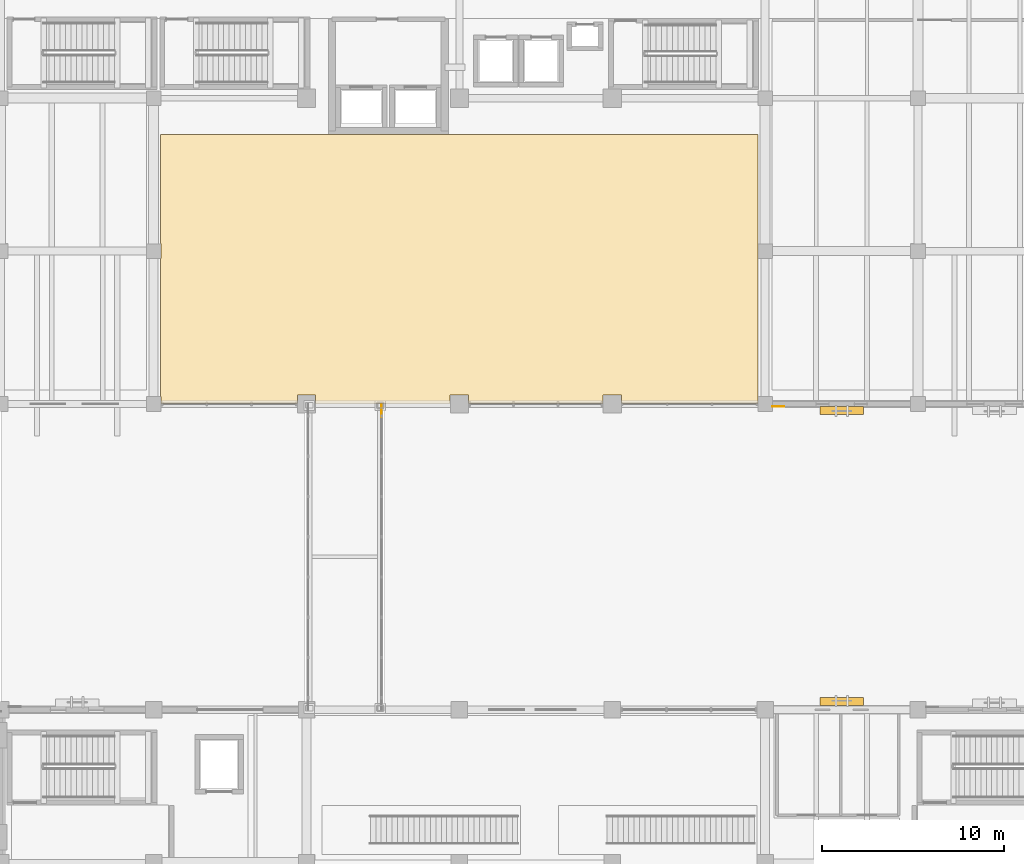
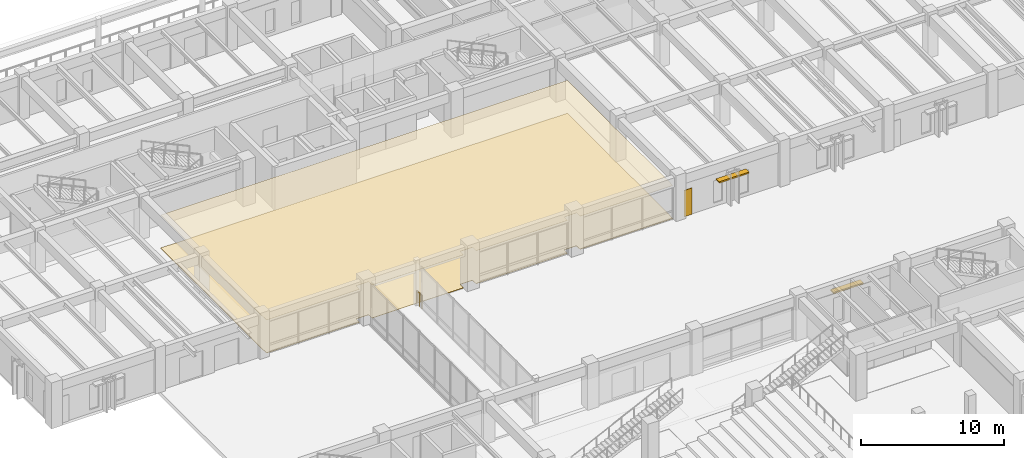
# One storey, part 115 of 135: 3 coverings, 2 shading devices, 1 railing.
"""IFC4 building model written with IfcOpenShell, lengths in metres."""

from ifc_helpers import new_model, si_unit, direction, frame, origin, origin_2d, place, context, subcontext, project, spatial, polyline, rectangle, circle, outline, extrude, material, layer, layer_set, type_object, element, save


model = new_model("IFC4")

# Units and contexts
model_context = context("Model", 3, precision=1e-05, world=origin(), true_north=direction((0.0, 1.0)))
body_context = subcontext(model_context, "Body", "Model", "MODEL_VIEW")
ifc_project = project(units=[si_unit("LENGTHUNIT", "METRE"), si_unit("AREAUNIT", "SQUARE_METRE"), si_unit("VOLUMEUNIT", "CUBIC_METRE"), si_unit("PLANEANGLEUNIT", "RADIAN"), si_unit("MASSUNIT", "GRAM", prefix="KILO")], contexts=[model_context])

# Site, building, storey
site_placement = place(None, origin())
site = spatial("IfcSite", under=ifc_project, at=site_placement, CompositionType="ELEMENT")
building_placement = place(site_placement, origin())
building = spatial("IfcBuilding", under=site, at=building_placement, Name="Cumbredor Promenade Congress Hotel", CompositionType="ELEMENT")
storey_placement = place(building_placement, origin())
storey = spatial("IfcBuildingStorey", under=building, at=storey_placement, Name="L00", CompositionType="ELEMENT", Elevation=0.0)

# Covering
ifc_material_1 = material(Name="Acoustic mineral-fiber and gypsum ceiling")
ifc_layer_1 = layer(ifc_material_1, 0.01806640625, Name="Acoustic mineral-fiber and gypsum ceiling")
ifc_layer_set_1 = layer_set([ifc_layer_1], Name="Acoustic mineral-fiber and gypsum ceiling")
covering_type_1 = type_object("IfcCoveringType", Name="Acoustic Perforated Gypsum Ceiling CLG-01 18mm", PredefinedType="CEILING", material=ifc_layer_set_1)
covering_1_placement = place(storey_placement, frame((0.0, 0.0, 2.822998046875)))
element("IfcCovering", 1, at=covering_1_placement, inside=storey, type_object=covering_type_1, Name="Hotel Grand Reception Hall and Garden Foyer Acoustic Ceiling", PredefinedType="CEILING", context=body_context, shape_type="SweptSolid", body=[
    extrude(outline(polyline([(33.094970703125, 84.030029296875), (25.705078125, 84.030029296875), (25.705078125, 84.5048828125), (24.695068359375, 84.5048828125), (24.695068359375, 84.030029296875), (17.205078125, 84.030029296875), (17.205078125, 84.405029296875), (17.179931640625, 84.405029296875), (17.179931640625, 91.9951171875), (17.205078125, 91.9951171875), (17.205078125, 92.804931640625), (17.179931640625, 92.804931640625), (17.179931640625, 98.820068359375), (50.02001953125, 98.820068359375), (50.02001953125, 92.804931640625), (49.9951171875, 92.804931640625), (49.9951171875, 91.9951171875), (50.02001953125, 91.9951171875), (50.02001953125, 84.405029296875), (49.9951171875, 84.405029296875), (49.9951171875, 84.030029296875), (42.5048828125, 84.030029296875), (42.5048828125, 84.5048828125), (41.4951171875, 84.5048828125), (41.4951171875, 84.030029296875), (34.10498046875, 84.030029296875), (34.10498046875, 84.5048828125), (33.094970703125, 84.5048828125), (33.094970703125, 84.030029296875)])), origin(), (0.0, 0.0, 1.0), 0.01806640625),
])

# Shading devices
ifc_material_2 = material(Name="Thermally broken anodized aluminium", Category="aluminium")
shading_device_type = type_object("IfcShadingDeviceType", Name="Horizontal Bronze Jalousie Louvre JAL-01", PredefinedType="JALOUSIE", material=ifc_material_2)
for number, where, z_axis, x_axis, name in (
    (2, (54.60009765625, 67.64990234375, 2.4599609375), (0.0, 0.0, 1.0), (1.0, 0.0, 0.0), "L00 Horizontal Bronze Jalousie 005"),
    (3, (54.60009765625, 83.64501953125, 2.2099609375), (0.0, 0.0, 1.0), (1.0, 0.0, 0.0), "L00 Horizontal Bronze Jalousie 023"),
):
    element("IfcShadingDevice", number, at=place(storey_placement, frame(where, z_axis=z_axis, x_axis=x_axis)), inside=storey, type_object=shading_device_type, Name=name, PredefinedType="JALOUSIE", context=body_context, shape_type="SweptSolid", body=[
        extrude(rectangle(XDim=2.39990234375, YDim=0.449951171875, at=origin_2d()), origin(), (0.0, 0.0, 1.0), 0.1201171875),
    ])

# Covering
ifc_material_3 = material(Name="Porcelain stoneware tile", Category="masonry")
ifc_layer_2 = layer(ifc_material_3, 0.030029296875, Name="Porcelain stoneware tile", Category="masonry")
ifc_layer_set_2 = layer_set([ifc_layer_2], Name="Porcelain stoneware tile")
covering_type_2 = type_object("IfcCoveringType", Name="Porcelain Stoneware Flooring FLR-03 30mm", PredefinedType="FLOORING", material=ifc_layer_set_2)
covering_2_placement = place(storey_placement, origin())
element("IfcCovering", 4, at=covering_2_placement, inside=storey, type_object=covering_type_2, Name="Hotel Grand Reception Hall and Garden Foyer Porcelain Flooring", PredefinedType="FLOORING", context=body_context, shape_type="SweptSolid", body=[
    extrude(outline(polyline([(33.094970703125, 84.030029296875), (25.705078125, 84.030029296875), (25.705078125, 84.5048828125), (24.695068359375, 84.5048828125), (24.695068359375, 84.030029296875), (17.205078125, 84.030029296875), (17.205078125, 84.405029296875), (17.179931640625, 84.405029296875), (17.179931640625, 91.9951171875), (17.205078125, 91.9951171875), (17.205078125, 92.804931640625), (17.179931640625, 92.804931640625), (17.179931640625, 98.820068359375), (50.02001953125, 98.820068359375), (50.02001953125, 92.804931640625), (49.9951171875, 92.804931640625), (49.9951171875, 91.9951171875), (50.02001953125, 91.9951171875), (50.02001953125, 84.405029296875), (49.9951171875, 84.405029296875), (49.9951171875, 84.030029296875), (42.5048828125, 84.030029296875), (42.5048828125, 84.5048828125), (41.4951171875, 84.5048828125), (41.4951171875, 84.030029296875), (34.10498046875, 84.030029296875), (34.10498046875, 84.5048828125), (33.094970703125, 84.5048828125), (33.094970703125, 84.030029296875)])), origin(), (0.0, 0.0, 1.0), 0.030029296875),
])

# Railing
ifc_material_4 = material(Name="Brushed stainless steel", Category="steel")
railing_type = type_object("IfcRailingType", Name="Sky Garden Glass-and-Steel Balustrade BAL-1150", PredefinedType="BALUSTRADE", material=ifc_material_4)
railing_placement = place(storey_placement, frame((29.320068359375, 83.300048828125, 0.0)))
element("IfcRailing", 5, at=railing_placement, inside=storey, type_object=railing_type, Name="L00 West Congress-to-Hotel Glazed Bridge End Guardrail NE", PredefinedType="BALUSTRADE", context=body_context, shape_type="SweptSolid", body=[
    extrude(circle(Radius=0.02392578125, at=origin_2d()), frame((0.0, 0.0, 1.1259765625), z_axis=(0.0, 1.0, 0.0), x_axis=(-1.0, 0.0, 0.0)), (0.0, 0.0, 1.0), 0.669921875),
    extrude(circle(Radius=0.02099609375, at=origin_2d()), origin(), (0.0, 0.0, 1.0), 1.101806640625),
    extrude(circle(Radius=0.02099609375, at=origin_2d()), frame((0.0, 0.3349609375, 0.0)), (0.0, 0.0, 1.0), 1.101806640625),
    extrude(circle(Radius=0.02099609375, at=origin_2d()), frame((0.0, 0.669921875, 0.0)), (0.0, 0.0, 1.0), 1.101806640625),
])

# Covering
ifc_material_5 = material(Name="Volcanic andesite ashlar cladding", Category="masonry")
ifc_layer_3 = layer(ifc_material_5, 0.034912109375, Name="Volcanic andesite ashlar cladding", Category="masonry")
ifc_layer_set_3 = layer_set([ifc_layer_3], Name="Volcanic andesite ashlar cladding")
covering_type_3 = type_object("IfcCoveringType", Name="Volcanic Andesite Ashlar Rainscreen Cladding 35mm", PredefinedType="CLADDING", material=ifc_layer_set_3)
covering_3_placement = place(storey_placement, origin())
element("IfcCovering", 6, at=covering_3_placement, inside=storey, type_object=covering_type_3, Name="L00 Facade Stone Cladding Pier 035", PredefinedType="CLADDING", context=body_context, shape_type="SweptSolid", body=[
    extrude(outline(polyline([(50.801025390625, 83.8701171875), (51.450927734375, 83.8701171875), (51.450927734375, 83.8349609375), (50.801025390625, 83.8349609375), (50.801025390625, 83.8701171875)])), origin(), (0.0, 0.0, 1.0), 2.25),
])

save(model, "model.ifc")
